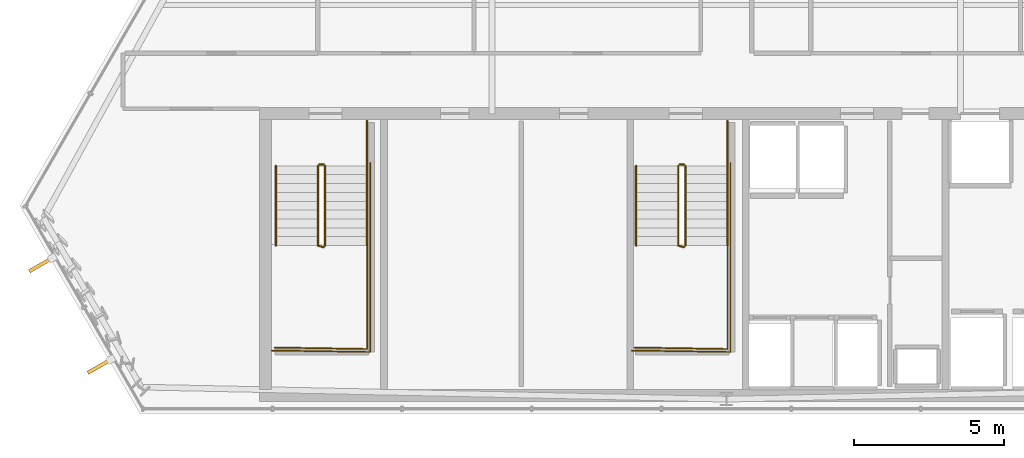
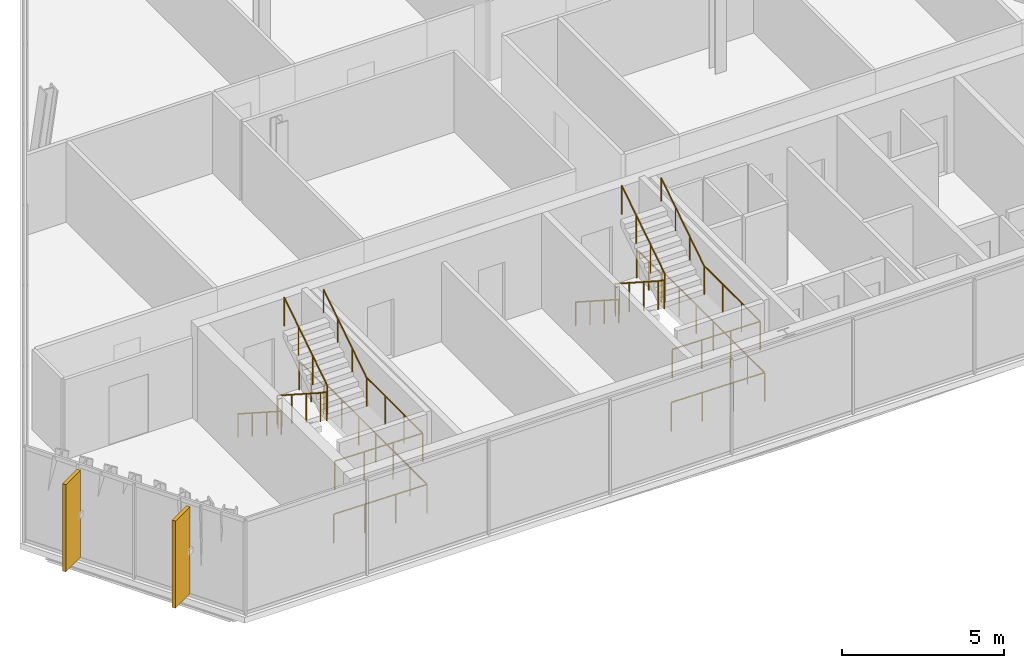
# One storey, part 27 of 30: 16 railings, 2 shading devices.
"""IFC4 building model written with IfcOpenShell, lengths in metres."""

from ifc_helpers import new_model, si_unit, direction, frame, origin, origin_2d, place, context, subcontext, project, spatial, rectangle, circle, extrude, material, layer, layer_set, type_object, element, save


model = new_model("IFC4")

# Units and contexts
model_context = context("Model", 3, precision=1e-05, world=origin(), true_north=direction((0.0, 1.0)))
body_context = subcontext(model_context, "Body", "Model", "MODEL_VIEW")
ifc_project = project(units=[si_unit("LENGTHUNIT", "METRE"), si_unit("AREAUNIT", "SQUARE_METRE"), si_unit("VOLUMEUNIT", "CUBIC_METRE"), si_unit("PLANEANGLEUNIT", "RADIAN"), si_unit("MASSUNIT", "GRAM", prefix="KILO")], contexts=[model_context])

# Site, building, storey
site_placement = place(None, origin())
site = spatial("IfcSite", under=ifc_project, at=site_placement, CompositionType="ELEMENT")
building_placement = place(site_placement, origin())
building = spatial("IfcBuilding", under=site, at=building_placement, Name="Ndaravel Arena Tower", CompositionType="ELEMENT")
storey_placement = place(building_placement, frame((0.0, 0.0, 225.60009765625)))
storey = spatial("IfcBuildingStorey", under=building, at=storey_placement, Name="L54", CompositionType="ELEMENT", Elevation=225.60009765625)

# Railings
ifc_material_1 = material(Name="Steel S355", Category="steel")
ifc_layer_1 = layer(ifc_material_1, 0.06005859375)
ifc_layer_set_1 = layer_set([ifc_layer_1], Name="Steel S355")
railing_type_1 = type_object("IfcRailingType", Name="RAIL-STAIR-GD1100", PredefinedType="GUARDRAIL", material=ifc_layer_set_1)
railing_1_placement = place(storey_placement, frame((28.39990234375, 13.25, 0.18994140625)))
element("IfcRailing", 1, at=railing_1_placement, inside=storey, type_object=railing_type_1, Name="L54 ST-1 stair guard 1", PredefinedType="GUARDRAIL", context=body_context, shape_type="SweptSolid", body=[
    extrude(circle(Radius=0.02392578125, at=origin_2d()), frame((0.0, 0.0, 1.076171875), z_axis=(0.0, -0.840723540582, 0.54146461409), x_axis=(1.0, 0.0, 0.0)), (0.0, 0.0, 1.0), 3.157958984375),
    extrude(circle(Radius=0.02392578125, at=origin_2d()), frame((0.0, -2.655029296875, 2.7861328125), z_axis=(0.967074537263, -0.25449329928, 0.0), x_axis=(0.25449329928, 0.967074537263, 0.0)), (0.0, 0.0, 1.0), 0.19677734375),
    extrude(circle(Radius=0.02099609375, at=origin_2d()), origin(), (0.0, 0.0, 1.0), 1.052001953125),
    extrude(circle(Radius=0.02099609375, at=origin_2d()), frame((0.0, -0.885009765625, 0.570068359375)), (0.0, 0.0, 1.0), 1.052001953125),
    extrude(circle(Radius=0.02099609375, at=origin_2d()), frame((0.0, -1.77001953125, 1.139892578125)), (0.0, 0.0, 1.0), 1.052001953125),
    extrude(circle(Radius=0.02099609375, at=origin_2d()), frame((0.0, -2.655029296875, 1.7099609375)), (0.0, 0.0, 1.0), 1.052001953125),
    extrude(circle(Radius=0.02099609375, at=origin_2d()), frame((0.190185546875, -2.705078125, 1.7099609375)), (0.0, 0.0, 1.0), 1.052001953125),
])
railing_2_placement = place(storey_placement, frame((30.0400390625, 10.594970703125, 1.89990234375)))
element("IfcRailing", 2, at=railing_2_placement, inside=storey, type_object=railing_type_1, Name="L54 ST-1 stair guard 2", PredefinedType="GUARDRAIL", context=body_context, shape_type="SweptSolid", body=[
    extrude(circle(Radius=0.02392578125, at=origin_2d()), frame((0.0, 0.0, 1.076171875), z_axis=(0.0, -1.0, 0.0), x_axis=(1.0, 0.0, 0.0)), (0.0, 0.0, 1.0), 3.445068359375),
    extrude(circle(Radius=0.02392578125, at=origin_2d()), frame((0.0, -3.445068359375, 1.076171875), z_axis=(-0.999868861343, 0.016194447071, 0.0), x_axis=(-0.016194447071, -0.999868861343, 0.0)), (0.0, 0.0, 1.0), 3.090576171875),
    extrude(circle(Radius=0.02099609375, at=origin_2d()), origin(), (0.0, 0.0, 1.0), 1.052001953125),
    extrude(circle(Radius=0.02099609375, at=origin_2d()), frame((0.0, -1.1484375, 0.0)), (0.0, 0.0, 1.0), 1.052001953125),
    extrude(circle(Radius=0.02099609375, at=origin_2d()), frame((0.0, -2.296630859375, 0.0)), (0.0, 0.0, 1.0), 1.052001953125),
    extrude(circle(Radius=0.02099609375, at=origin_2d()), frame((0.0, -3.445068359375, 0.0)), (0.0, 0.0, 1.0), 1.052001953125),
    extrude(circle(Radius=0.02099609375, at=origin_2d()), frame((-1.030029296875, -3.428466796875, 0.0)), (0.0, 0.0, 1.0), 1.052001953125),
    extrude(circle(Radius=0.02099609375, at=origin_2d()), frame((-2.06005859375, -3.41162109375, 0.0)), (0.0, 0.0, 1.0), 1.052001953125),
    extrude(circle(Radius=0.02099609375, at=origin_2d()), frame((-3.090087890625, -3.39501953125, 0.0)), (0.0, 0.0, 1.0), 1.052001953125),
])
railing_3_placement = place(storey_placement, frame((28.639892578125, 10.594970703125, 2.08984375)))
element("IfcRailing", 3, at=railing_3_placement, inside=storey, type_object=railing_type_1, Name="L54 ST-1 stair guard 3", PredefinedType="GUARDRAIL", context=body_context, shape_type="SweptSolid", body=[
    extrude(circle(Radius=0.02392578125, at=origin_2d()), frame((0.0, 0.0, 1.076171875), z_axis=(0.0, 0.840723540582, 0.54146461409), x_axis=(-1.0, 0.0, 0.0)), (0.0, 0.0, 1.0), 3.157958984375),
    extrude(circle(Radius=0.02099609375, at=origin_2d()), origin(), (0.0, 0.0, 1.0), 1.052001953125),
    extrude(circle(Radius=0.02099609375, at=origin_2d()), frame((0.0, 0.885009765625, 0.570068359375)), (0.0, 0.0, 1.0), 1.052001953125),
    extrude(circle(Radius=0.02099609375, at=origin_2d()), frame((0.0, 1.77001953125, 1.139892578125)), (0.0, 0.0, 1.0), 1.052001953125),
    extrude(circle(Radius=0.02099609375, at=origin_2d()), frame((0.0, 2.655029296875, 1.7099609375)), (0.0, 0.0, 1.0), 1.052001953125),
])
railing_4_placement = place(storey_placement, frame((28.449951171875, 13.300048828125, 0.0)))
element("IfcRailing", 4, at=railing_4_placement, inside=storey, type_object=railing_type_1, Name="L54 ST-1 stair guard 4", PredefinedType="GUARDRAIL", context=body_context, shape_type="SweptSolid", body=[
    extrude(circle(Radius=0.02392578125, at=origin_2d()), frame((0.0, 0.0, 1.076171875), z_axis=(1.0, 0.0, 0.0), x_axis=(0.0, 1.0, 0.0)), (0.0, 0.0, 1.0), 0.14013671875),
    extrude(circle(Radius=0.02099609375, at=origin_2d()), origin(), (0.0, 0.0, 1.0), 1.052001953125),
    extrude(circle(Radius=0.02099609375, at=origin_2d()), frame((0.14013671875, 0.0, 0.0)), (0.0, 0.0, 1.0), 1.052001953125),
])
railing_5_placement = place(storey_placement, frame((30.0400390625, 14.75, 0.0)))
element("IfcRailing", 5, at=railing_5_placement, inside=storey, type_object=railing_type_1, Name="L54 ST-1 stair guard 5", PredefinedType="GUARDRAIL", context=body_context, shape_type="SweptSolid", body=[
    extrude(circle(Radius=0.02392578125, at=origin_2d()), frame((0.0, 0.0, 1.076171875), z_axis=(0.0, -1.0, 0.0), x_axis=(1.0, 0.0, 0.0)), (0.0, 0.0, 1.0), 1.5),
    extrude(circle(Radius=0.02099609375, at=origin_2d()), origin(), (0.0, 0.0, 1.0), 1.052001953125),
    extrude(circle(Radius=0.02099609375, at=origin_2d()), frame((0.0, -0.75, 0.0)), (0.0, 0.0, 1.0), 1.052001953125),
    extrude(circle(Radius=0.02099609375, at=origin_2d()), frame((0.0, -1.5, 0.0)), (0.0, 0.0, 1.0), 1.052001953125),
])
railing_6_placement = place(storey_placement, frame((30.139892578125, 13.35009765625, 0.0)))
element("IfcRailing", 6, at=railing_6_placement, inside=storey, type_object=railing_type_1, Name="L54 ST-1 stair guard 6", PredefinedType="GUARDRAIL", context=body_context, shape_type="SweptSolid", body=[
    extrude(circle(Radius=0.02392578125, at=origin_2d()), frame((0.0, 0.0, 1.076171875), z_axis=(0.0, -1.0, 0.0), x_axis=(1.0, 0.0, 0.0)), (0.0, 0.0, 1.0), 6.300048828125),
    extrude(circle(Radius=0.02392578125, at=origin_2d()), frame((0.0, -6.300048828125, 1.076171875), z_axis=(-0.999884296952, 0.015211597839, 0.0), x_axis=(-0.015211597839, -0.999884296952, 0.0)), (0.0, 0.0, 1.0), 3.290283203125),
    extrude(circle(Radius=0.02099609375, at=origin_2d()), origin(), (0.0, 0.0, 1.0), 1.052001953125),
    extrude(circle(Radius=0.02099609375, at=origin_2d()), frame((0.0, -1.050048828125, 0.0)), (0.0, 0.0, 1.0), 1.052001953125),
    extrude(circle(Radius=0.02099609375, at=origin_2d()), frame((0.0, -2.10009765625, 0.0)), (0.0, 0.0, 1.0), 1.052001953125),
    extrude(circle(Radius=0.02099609375, at=origin_2d()), frame((0.0, -3.14990234375, 0.0)), (0.0, 0.0, 1.0), 1.052001953125),
    extrude(circle(Radius=0.02099609375, at=origin_2d()), frame((0.0, -4.199951171875, 0.0)), (0.0, 0.0, 1.0), 1.052001953125),
    extrude(circle(Radius=0.02099609375, at=origin_2d()), frame((0.0, -5.25, 0.0)), (0.0, 0.0, 1.0), 1.052001953125),
    extrude(circle(Radius=0.02099609375, at=origin_2d()), frame((0.0, -6.300048828125, 0.0)), (0.0, 0.0, 1.0), 1.052001953125),
    extrude(circle(Radius=0.02099609375, at=origin_2d()), frame((-1.0966796875, -6.283447265625, 0.0)), (0.0, 0.0, 1.0), 1.052001953125),
    extrude(circle(Radius=0.02099609375, at=origin_2d()), frame((-2.193115234375, -6.2666015625, 0.0)), (0.0, 0.0, 1.0), 1.052001953125),
    extrude(circle(Radius=0.02099609375, at=origin_2d()), frame((-3.289794921875, -6.25, 0.0)), (0.0, 0.0, 1.0), 1.052001953125),
])
railing_7_placement = place(storey_placement, frame((40.39990234375, 13.25, 0.18994140625)))
element("IfcRailing", 7, at=railing_7_placement, inside=storey, type_object=railing_type_1, Name="L54 ST-2 stair guard 1", PredefinedType="GUARDRAIL", context=body_context, shape_type="SweptSolid", body=[
    extrude(circle(Radius=0.02392578125, at=origin_2d()), frame((0.0, 0.0, 1.076171875), z_axis=(0.0, -0.840723540582, 0.54146461409), x_axis=(1.0, 0.0, 0.0)), (0.0, 0.0, 1.0), 3.157958984375),
    extrude(circle(Radius=0.02392578125, at=origin_2d()), frame((0.0, -2.655029296875, 2.7861328125), z_axis=(0.967074537263, -0.25449329928, 0.0), x_axis=(0.25449329928, 0.967074537263, 0.0)), (0.0, 0.0, 1.0), 0.19677734375),
    extrude(circle(Radius=0.02099609375, at=origin_2d()), origin(), (0.0, 0.0, 1.0), 1.052001953125),
    extrude(circle(Radius=0.02099609375, at=origin_2d()), frame((0.0, -0.885009765625, 0.570068359375)), (0.0, 0.0, 1.0), 1.052001953125),
    extrude(circle(Radius=0.02099609375, at=origin_2d()), frame((0.0, -1.77001953125, 1.139892578125)), (0.0, 0.0, 1.0), 1.052001953125),
    extrude(circle(Radius=0.02099609375, at=origin_2d()), frame((0.0, -2.655029296875, 1.7099609375)), (0.0, 0.0, 1.0), 1.052001953125),
    extrude(circle(Radius=0.02099609375, at=origin_2d()), frame((0.190185546875, -2.705078125, 1.7099609375)), (0.0, 0.0, 1.0), 1.052001953125),
])
railing_8_placement = place(storey_placement, frame((42.0400390625, 10.594970703125, 1.89990234375)))
element("IfcRailing", 8, at=railing_8_placement, inside=storey, type_object=railing_type_1, Name="L54 ST-2 stair guard 2", PredefinedType="GUARDRAIL", context=body_context, shape_type="SweptSolid", body=[
    extrude(circle(Radius=0.02392578125, at=origin_2d()), frame((0.0, 0.0, 1.076171875), z_axis=(0.0, -1.0, 0.0), x_axis=(1.0, 0.0, 0.0)), (0.0, 0.0, 1.0), 3.445068359375),
    extrude(circle(Radius=0.02392578125, at=origin_2d()), frame((0.0, -3.445068359375, 1.076171875), z_axis=(-0.999868861343, 0.016194447071, 0.0), x_axis=(-0.016194447071, -0.999868861343, 0.0)), (0.0, 0.0, 1.0), 3.090576171875),
    extrude(circle(Radius=0.02099609375, at=origin_2d()), origin(), (0.0, 0.0, 1.0), 1.052001953125),
    extrude(circle(Radius=0.02099609375, at=origin_2d()), frame((0.0, -1.1484375, 0.0)), (0.0, 0.0, 1.0), 1.052001953125),
    extrude(circle(Radius=0.02099609375, at=origin_2d()), frame((0.0, -2.296630859375, 0.0)), (0.0, 0.0, 1.0), 1.052001953125),
    extrude(circle(Radius=0.02099609375, at=origin_2d()), frame((0.0, -3.445068359375, 0.0)), (0.0, 0.0, 1.0), 1.052001953125),
    extrude(circle(Radius=0.02099609375, at=origin_2d()), frame((-1.030029296875, -3.428466796875, 0.0)), (0.0, 0.0, 1.0), 1.052001953125),
    extrude(circle(Radius=0.02099609375, at=origin_2d()), frame((-2.06005859375, -3.41162109375, 0.0)), (0.0, 0.0, 1.0), 1.052001953125),
    extrude(circle(Radius=0.02099609375, at=origin_2d()), frame((-3.090087890625, -3.39501953125, 0.0)), (0.0, 0.0, 1.0), 1.052001953125),
])
railing_9_placement = place(storey_placement, frame((40.639892578125, 10.594970703125, 2.08984375)))
element("IfcRailing", 9, at=railing_9_placement, inside=storey, type_object=railing_type_1, Name="L54 ST-2 stair guard 3", PredefinedType="GUARDRAIL", context=body_context, shape_type="SweptSolid", body=[
    extrude(circle(Radius=0.02392578125, at=origin_2d()), frame((0.0, 0.0, 1.076171875), z_axis=(0.0, 0.840723540582, 0.54146461409), x_axis=(-1.0, 0.0, 0.0)), (0.0, 0.0, 1.0), 3.157958984375),
    extrude(circle(Radius=0.02099609375, at=origin_2d()), origin(), (0.0, 0.0, 1.0), 1.052001953125),
    extrude(circle(Radius=0.02099609375, at=origin_2d()), frame((0.0, 0.885009765625, 0.570068359375)), (0.0, 0.0, 1.0), 1.052001953125),
    extrude(circle(Radius=0.02099609375, at=origin_2d()), frame((0.0, 1.77001953125, 1.139892578125)), (0.0, 0.0, 1.0), 1.052001953125),
    extrude(circle(Radius=0.02099609375, at=origin_2d()), frame((0.0, 2.655029296875, 1.7099609375)), (0.0, 0.0, 1.0), 1.052001953125),
])
railing_10_placement = place(storey_placement, frame((40.449951171875, 13.300048828125, 0.0)))
element("IfcRailing", 10, at=railing_10_placement, inside=storey, type_object=railing_type_1, Name="L54 ST-2 stair guard 4", PredefinedType="GUARDRAIL", context=body_context, shape_type="SweptSolid", body=[
    extrude(circle(Radius=0.02392578125, at=origin_2d()), frame((0.0, 0.0, 1.076171875), z_axis=(1.0, 0.0, 0.0), x_axis=(0.0, 1.0, 0.0)), (0.0, 0.0, 1.0), 0.14013671875),
    extrude(circle(Radius=0.02099609375, at=origin_2d()), origin(), (0.0, 0.0, 1.0), 1.052001953125),
    extrude(circle(Radius=0.02099609375, at=origin_2d()), frame((0.14013671875, 0.0, 0.0)), (0.0, 0.0, 1.0), 1.052001953125),
])
railing_11_placement = place(storey_placement, frame((42.0400390625, 14.75, 0.0)))
element("IfcRailing", 11, at=railing_11_placement, inside=storey, type_object=railing_type_1, Name="L54 ST-2 stair guard 5", PredefinedType="GUARDRAIL", context=body_context, shape_type="SweptSolid", body=[
    extrude(circle(Radius=0.02392578125, at=origin_2d()), frame((0.0, 0.0, 1.076171875), z_axis=(0.0, -1.0, 0.0), x_axis=(1.0, 0.0, 0.0)), (0.0, 0.0, 1.0), 1.5),
    extrude(circle(Radius=0.02099609375, at=origin_2d()), origin(), (0.0, 0.0, 1.0), 1.052001953125),
    extrude(circle(Radius=0.02099609375, at=origin_2d()), frame((0.0, -0.75, 0.0)), (0.0, 0.0, 1.0), 1.052001953125),
    extrude(circle(Radius=0.02099609375, at=origin_2d()), frame((0.0, -1.5, 0.0)), (0.0, 0.0, 1.0), 1.052001953125),
])
railing_12_placement = place(storey_placement, frame((42.139892578125, 13.35009765625, 0.0)))
element("IfcRailing", 12, at=railing_12_placement, inside=storey, type_object=railing_type_1, Name="L54 ST-2 stair guard 6", PredefinedType="GUARDRAIL", context=body_context, shape_type="SweptSolid", body=[
    extrude(circle(Radius=0.02392578125, at=origin_2d()), frame((0.0, 0.0, 1.076171875), z_axis=(0.0, -1.0, 0.0), x_axis=(1.0, 0.0, 0.0)), (0.0, 0.0, 1.0), 6.300048828125),
    extrude(circle(Radius=0.02392578125, at=origin_2d()), frame((0.0, -6.300048828125, 1.076171875), z_axis=(-0.999884296952, 0.015211597839, 0.0), x_axis=(-0.015211597839, -0.999884296952, 0.0)), (0.0, 0.0, 1.0), 3.290283203125),
    extrude(circle(Radius=0.02099609375, at=origin_2d()), origin(), (0.0, 0.0, 1.0), 1.052001953125),
    extrude(circle(Radius=0.02099609375, at=origin_2d()), frame((0.0, -1.050048828125, 0.0)), (0.0, 0.0, 1.0), 1.052001953125),
    extrude(circle(Radius=0.02099609375, at=origin_2d()), frame((0.0, -2.10009765625, 0.0)), (0.0, 0.0, 1.0), 1.052001953125),
    extrude(circle(Radius=0.02099609375, at=origin_2d()), frame((0.0, -3.14990234375, 0.0)), (0.0, 0.0, 1.0), 1.052001953125),
    extrude(circle(Radius=0.02099609375, at=origin_2d()), frame((0.0, -4.199951171875, 0.0)), (0.0, 0.0, 1.0), 1.052001953125),
    extrude(circle(Radius=0.02099609375, at=origin_2d()), frame((0.0, -5.25, 0.0)), (0.0, 0.0, 1.0), 1.052001953125),
    extrude(circle(Radius=0.02099609375, at=origin_2d()), frame((0.0, -6.300048828125, 0.0)), (0.0, 0.0, 1.0), 1.052001953125),
    extrude(circle(Radius=0.02099609375, at=origin_2d()), frame((-1.0966796875, -6.283447265625, 0.0)), (0.0, 0.0, 1.0), 1.052001953125),
    extrude(circle(Radius=0.02099609375, at=origin_2d()), frame((-2.193115234375, -6.2666015625, 0.0)), (0.0, 0.0, 1.0), 1.052001953125),
    extrude(circle(Radius=0.02099609375, at=origin_2d()), frame((-3.289794921875, -6.25, 0.0)), (0.0, 0.0, 1.0), 1.052001953125),
])
ifc_material_2 = material(Name="Steel S355", Category="steel")
ifc_layer_2 = layer(ifc_material_2, 0.050048828125)
ifc_layer_set_2 = layer_set([ifc_layer_2], Name="Steel S355")
railing_type_2 = type_object("IfcRailingType", Name="RAIL-STAIR-HR920", PredefinedType="HANDRAIL", material=ifc_layer_set_2)
railing_13_placement = place(storey_placement, frame((27.0, 13.25, 0.18994140625)))
element("IfcRailing", 13, at=railing_13_placement, inside=storey, type_object=railing_type_2, Name="L54 ST-1 stair handrail 1", PredefinedType="HANDRAIL", context=body_context, shape_type="SweptSolid", body=[
    extrude(circle(Radius=0.02392578125, at=origin_2d()), frame((0.0, 0.0, 0.8759765625), z_axis=(0.0, -0.840723540582, 0.54146461409), x_axis=(1.0, 0.0, 0.0)), (0.0, 0.0, 1.0), 3.157958984375),
    extrude(circle(Radius=0.02099609375, at=origin_2d()), origin(), (0.0, 0.0, 1.0), 0.851806640625),
    extrude(circle(Radius=0.02099609375, at=origin_2d()), frame((0.0, -0.885009765625, 0.570068359375)), (0.0, 0.0, 1.0), 0.851806640625),
    extrude(circle(Radius=0.02099609375, at=origin_2d()), frame((0.0, -1.77001953125, 1.139892578125)), (0.0, 0.0, 1.0), 0.851806640625),
    extrude(circle(Radius=0.02099609375, at=origin_2d()), frame((0.0, -2.655029296875, 1.7099609375)), (0.0, 0.0, 1.0), 0.851806640625),
])
railing_14_placement = place(storey_placement, frame((30.0400390625, 10.594970703125, 2.08984375)))
element("IfcRailing", 14, at=railing_14_placement, inside=storey, type_object=railing_type_2, Name="L54 ST-1 stair handrail 2", PredefinedType="HANDRAIL", context=body_context, shape_type="SweptSolid", body=[
    extrude(circle(Radius=0.02392578125, at=origin_2d()), frame((0.0, 0.0, 0.8759765625), z_axis=(0.0, 0.840723540582, 0.54146461409), x_axis=(-1.0, 0.0, 0.0)), (0.0, 0.0, 1.0), 3.157958984375),
    extrude(circle(Radius=0.02099609375, at=origin_2d()), origin(), (0.0, 0.0, 1.0), 0.851806640625),
    extrude(circle(Radius=0.02099609375, at=origin_2d()), frame((0.0, 0.885009765625, 0.570068359375)), (0.0, 0.0, 1.0), 0.851806640625),
    extrude(circle(Radius=0.02099609375, at=origin_2d()), frame((0.0, 1.77001953125, 1.139892578125)), (0.0, 0.0, 1.0), 0.851806640625),
    extrude(circle(Radius=0.02099609375, at=origin_2d()), frame((0.0, 2.655029296875, 1.7099609375)), (0.0, 0.0, 1.0), 0.851806640625),
])
railing_15_placement = place(storey_placement, frame((39.0, 13.25, 0.18994140625)))
element("IfcRailing", 15, at=railing_15_placement, inside=storey, type_object=railing_type_2, Name="L54 ST-2 stair handrail 1", PredefinedType="HANDRAIL", context=body_context, shape_type="SweptSolid", body=[
    extrude(circle(Radius=0.02392578125, at=origin_2d()), frame((0.0, 0.0, 0.8759765625), z_axis=(0.0, -0.840723540582, 0.54146461409), x_axis=(1.0, 0.0, 0.0)), (0.0, 0.0, 1.0), 3.157958984375),
    extrude(circle(Radius=0.02099609375, at=origin_2d()), origin(), (0.0, 0.0, 1.0), 0.851806640625),
    extrude(circle(Radius=0.02099609375, at=origin_2d()), frame((0.0, -0.885009765625, 0.570068359375)), (0.0, 0.0, 1.0), 0.851806640625),
    extrude(circle(Radius=0.02099609375, at=origin_2d()), frame((0.0, -1.77001953125, 1.139892578125)), (0.0, 0.0, 1.0), 0.851806640625),
    extrude(circle(Radius=0.02099609375, at=origin_2d()), frame((0.0, -2.655029296875, 1.7099609375)), (0.0, 0.0, 1.0), 0.851806640625),
])
railing_16_placement = place(storey_placement, frame((42.0400390625, 10.594970703125, 2.08984375)))
element("IfcRailing", 16, at=railing_16_placement, inside=storey, type_object=railing_type_2, Name="L54 ST-2 stair handrail 2", PredefinedType="HANDRAIL", context=body_context, shape_type="SweptSolid", body=[
    extrude(circle(Radius=0.02392578125, at=origin_2d()), frame((0.0, 0.0, 0.8759765625), z_axis=(0.0, 0.840723540582, 0.54146461409), x_axis=(-1.0, 0.0, 0.0)), (0.0, 0.0, 1.0), 3.157958984375),
    extrude(circle(Radius=0.02099609375, at=origin_2d()), origin(), (0.0, 0.0, 1.0), 0.851806640625),
    extrude(circle(Radius=0.02099609375, at=origin_2d()), frame((0.0, 0.885009765625, 0.570068359375)), (0.0, 0.0, 1.0), 0.851806640625),
    extrude(circle(Radius=0.02099609375, at=origin_2d()), frame((0.0, 1.77001953125, 1.139892578125)), (0.0, 0.0, 1.0), 0.851806640625),
    extrude(circle(Radius=0.02099609375, at=origin_2d()), frame((0.0, 2.655029296875, 1.7099609375)), (0.0, 0.0, 1.0), 0.851806640625),
])

# Shading devices
ifc_material_3 = material(Name="Masonry", Category="masonry")
shading_device_type = type_object("IfcShadingDeviceType", Name="SHD-MAZERAS-FIN", PredefinedType="SHUTTER", material=ifc_material_3)
for number, where, z_axis, x_axis, name in (
    (17, (19.177978515625, 9.961669921875, 0.14990234375), (0.0, 0.0, 1.0), (-0.866025403784, -0.5, 0.0), "L54 Mazeras Stone Solar Fin E6.1"),
    (18, (21.12890625, 6.58251953125, 0.14990234375), (0.0, 0.0, 1.0), (-0.866025403784, -0.5, 0.0), "L54 Mazeras Stone Solar Fin E6.2"),
):
    element("IfcShadingDevice", number, at=place(storey_placement, frame(where, z_axis=z_axis, x_axis=x_axis)), inside=storey, type_object=shading_device_type, Name=name, PredefinedType="SHUTTER", context=body_context, shape_type="SweptSolid", body=[
        extrude(rectangle(XDim=0.89990234375, YDim=0.1201171875, at=origin_2d()), origin(), (0.0, 0.0, 1.0), 3.280029296875),
    ])

save(model, "model.ifc")
